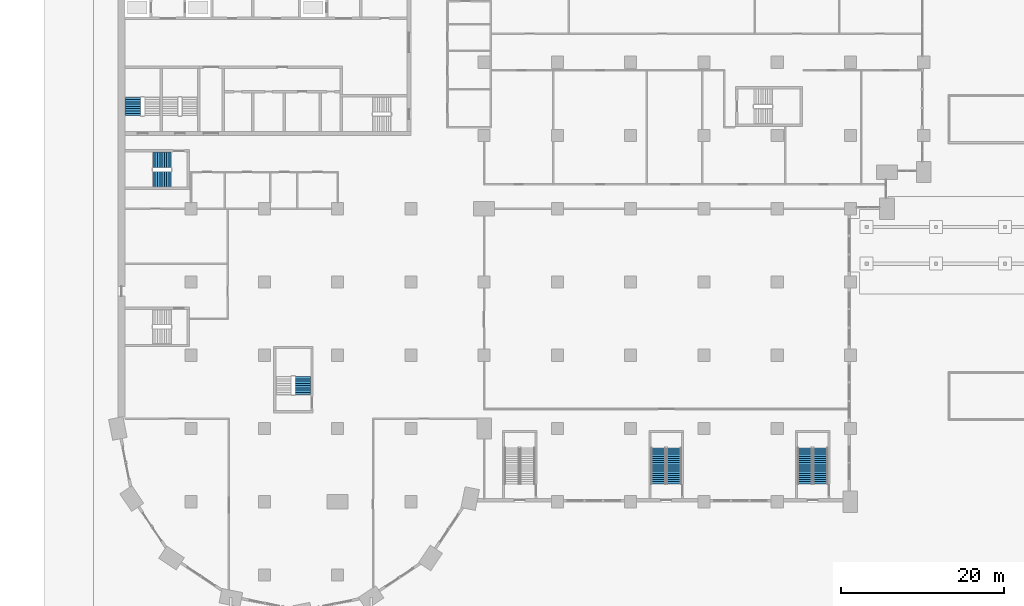
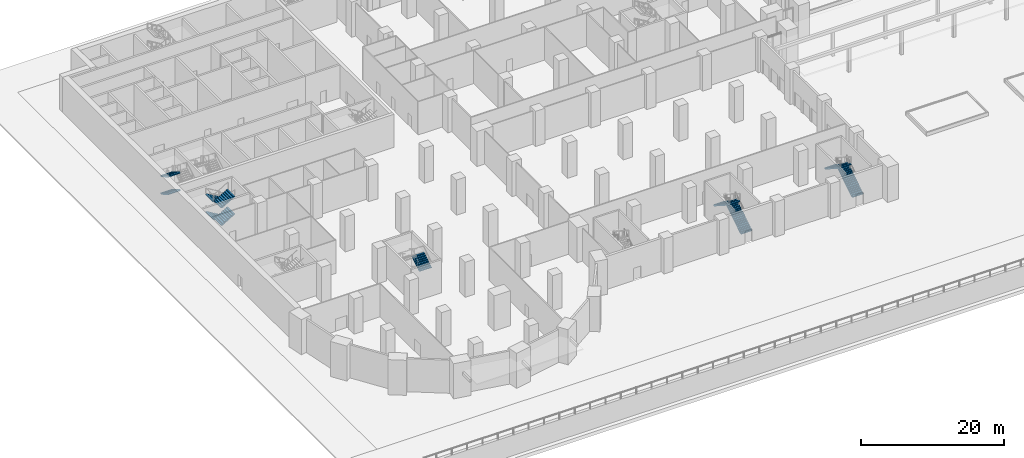
# One storey, part 29 of 47: 11 stair flights, 5 elements without a shape of their own.
"""IFC4 building model written with IfcOpenShell, lengths in metres."""

from ifc_helpers import new_model, si_unit, direction, frame, origin, place, context, subcontext, project, spatial, polyline, outline, extrude, material, type_object, element, aggregate, save


model = new_model("IFC4")

# Units and contexts
model_context = context("Model", 3, precision=1e-05, world=origin(), true_north=direction((0.0, 1.0)))
body_context = subcontext(model_context, "Body", "Model", "MODEL_VIEW")
ifc_project = project(units=[si_unit("LENGTHUNIT", "METRE"), si_unit("AREAUNIT", "SQUARE_METRE"), si_unit("VOLUMEUNIT", "CUBIC_METRE"), si_unit("PLANEANGLEUNIT", "RADIAN"), si_unit("MASSUNIT", "GRAM", prefix="KILO")], contexts=[model_context])

# Site, building, storey
site_placement = place(None, origin())
site = spatial("IfcSite", under=ifc_project, at=site_placement, CompositionType="ELEMENT")
building_placement = place(site_placement, origin())
building = spatial("IfcBuilding", under=site, at=building_placement, Name="Hunhe Ridgeline Campus", CompositionType="ELEMENT")
storey_placement = place(building_placement, origin())
storey = spatial("IfcBuildingStorey", under=building, at=storey_placement, Name="L00", CompositionType="ELEMENT", Elevation=0.0)

# Stair, stair flights
ifc_material = material(Name="Concrete C40", Category="concrete")
stair_type_1 = type_object("IfcStairType", Name="Podium exit stair 1800", PredefinedType="HALF_TURN_STAIR", material=ifc_material)
stair_1_placement = place(storey_placement, origin())
stair_1 = element("IfcStair", 1, at=stair_1_placement, inside=storey, type_object=stair_type_1, Name="L00 podium stair PS2", PredefinedType="HALF_TURN_STAIR")
stair_flight_type_1 = type_object("IfcStairFlightType", Name="Podium stair flight 1800", PredefinedType="STRAIGHT", material=ifc_material)
stair_flight_1_placement = place(storey_placement, frame((68.35009765625, 20.199951171875, 0.0), z_axis=(0.0, 0.0, 1.0), x_axis=(0.0, 1.0, 0.0)))
stair_flight_1 = element("IfcStairFlight", 2, at=stair_flight_1_placement, type_object=stair_flight_type_1, Name="PS2 flight 1", NumberOfRisers=18, NumberOfTreads=17, PredefinedType="STRAIGHT", RiserHeight=0.166666667, TreadLength=0.26, context=body_context, shape_type="SweptSolid", body=[
    extrude(outline(polyline([(0.0, 0.0), (0.0, 0.166748046875), (0.260009765625, 0.166748046875), (0.260009765625, 0.333251953125), (0.52001953125, 0.333251953125), (0.52001953125, 0.5), (0.780029296875, 0.5), (0.780029296875, 0.666748046875), (1.0400390625, 0.666748046875), (1.0400390625, 0.833251953125), (1.300048828125, 0.833251953125), (1.300048828125, 1.0), (1.56005859375, 1.0), (1.56005859375, 1.166748046875), (1.820068359375, 1.166748046875), (1.820068359375, 1.333251953125), (2.080078125, 1.333251953125), (2.080078125, 1.5), (2.340087890625, 1.5), (2.340087890625, 1.666748046875), (2.60009765625, 1.666748046875), (2.60009765625, 1.833251953125), (2.860107421875, 1.833251953125), (2.860107421875, 2.0), (3.1201171875, 2.0), (3.1201171875, 2.166748046875), (3.3798828125, 2.166748046875), (3.3798828125, 2.333251953125), (3.639892578125, 2.333251953125), (3.639892578125, 2.5), (3.89990234375, 2.5), (3.89990234375, 2.666748046875), (4.159912109375, 2.666748046875), (4.159912109375, 2.833251953125), (4.419921875, 2.833251953125), (4.419921875, 3.0), (4.419921875, 2.6552734375), (0.27783203125, 0.0), (0.0, 0.0)])), frame((0.0, 0.89990234375, 0.0), z_axis=(0.0, -1.0, 0.0), x_axis=(1.0, 0.0, 0.0)), (0.0, 0.0, 1.0), 1.800048828125),
])
stair_flight_2_placement = place(storey_placement, frame((66.39990234375, 24.6201171875, 3.0), z_axis=(0.0, 0.0, 1.0), x_axis=(0.0, -1.0, 0.0)))
stair_flight_2 = element("IfcStairFlight", 3, at=stair_flight_2_placement, type_object=stair_flight_type_1, Name="PS2 flight 2", NumberOfRisers=18, NumberOfTreads=17, PredefinedType="STRAIGHT", RiserHeight=0.166666667, TreadLength=0.26, context=body_context, shape_type="SweptSolid", body=[
    extrude(outline(polyline([(0.0, 0.0), (0.0, 0.166748046875), (0.260009765625, 0.166748046875), (0.260009765625, 0.333251953125), (0.52001953125, 0.333251953125), (0.52001953125, 0.5), (0.780029296875, 0.5), (0.780029296875, 0.666748046875), (1.0400390625, 0.666748046875), (1.0400390625, 0.833251953125), (1.300048828125, 0.833251953125), (1.300048828125, 1.0), (1.56005859375, 1.0), (1.56005859375, 1.166748046875), (1.820068359375, 1.166748046875), (1.820068359375, 1.333251953125), (2.080078125, 1.333251953125), (2.080078125, 1.5), (2.340087890625, 1.5), (2.340087890625, 1.666748046875), (2.60009765625, 1.666748046875), (2.60009765625, 1.833251953125), (2.860107421875, 1.833251953125), (2.860107421875, 2.0), (3.1201171875, 2.0), (3.1201171875, 2.166748046875), (3.3798828125, 2.166748046875), (3.3798828125, 2.333251953125), (3.639892578125, 2.333251953125), (3.639892578125, 2.5), (3.89990234375, 2.5), (3.89990234375, 2.666748046875), (4.159912109375, 2.666748046875), (4.159912109375, 2.833251953125), (4.419921875, 2.833251953125), (4.419921875, 3.0), (4.419921875, 2.6552734375), (0.27783203125, 0.0), (0.0, 0.0)])), frame((0.0, 0.89990234375, 0.0), z_axis=(0.0, -1.0, 0.0), x_axis=(1.0, 0.0, 0.0)), (0.0, 0.0, 1.0), 1.800048828125),
])
aggregate(stair_1, [stair_flight_1, stair_flight_2])

stair_2_placement = place(storey_placement, origin())
stair_2 = element("IfcStair", 4, at=stair_2_placement, inside=storey, type_object=stair_type_1, Name="L00 podium stair PS3", PredefinedType="HALF_TURN_STAIR")
stair_flight_3_placement = place(storey_placement, frame((86.35009765625, 20.199951171875, 0.0), z_axis=(0.0, 0.0, 1.0), x_axis=(0.0, 1.0, 0.0)))
stair_flight_3 = element("IfcStairFlight", 5, at=stair_flight_3_placement, type_object=stair_flight_type_1, Name="PS3 flight 1", NumberOfRisers=18, NumberOfTreads=17, PredefinedType="STRAIGHT", RiserHeight=0.166666667, TreadLength=0.26, context=body_context, shape_type="SweptSolid", body=[
    extrude(outline(polyline([(0.0, 0.0), (0.0, 0.166748046875), (0.260009765625, 0.166748046875), (0.260009765625, 0.333251953125), (0.52001953125, 0.333251953125), (0.52001953125, 0.5), (0.780029296875, 0.5), (0.780029296875, 0.666748046875), (1.0400390625, 0.666748046875), (1.0400390625, 0.833251953125), (1.300048828125, 0.833251953125), (1.300048828125, 1.0), (1.56005859375, 1.0), (1.56005859375, 1.166748046875), (1.820068359375, 1.166748046875), (1.820068359375, 1.333251953125), (2.080078125, 1.333251953125), (2.080078125, 1.5), (2.340087890625, 1.5), (2.340087890625, 1.666748046875), (2.60009765625, 1.666748046875), (2.60009765625, 1.833251953125), (2.860107421875, 1.833251953125), (2.860107421875, 2.0), (3.1201171875, 2.0), (3.1201171875, 2.166748046875), (3.3798828125, 2.166748046875), (3.3798828125, 2.333251953125), (3.639892578125, 2.333251953125), (3.639892578125, 2.5), (3.89990234375, 2.5), (3.89990234375, 2.666748046875), (4.159912109375, 2.666748046875), (4.159912109375, 2.833251953125), (4.419921875, 2.833251953125), (4.419921875, 3.0), (4.419921875, 2.6552734375), (0.27783203125, 0.0), (0.0, 0.0)])), frame((0.0, 0.89990234375, 0.0), z_axis=(0.0, -1.0, 0.0), x_axis=(1.0, 0.0, 0.0)), (0.0, 0.0, 1.0), 1.800048828125),
])
stair_flight_4_placement = place(storey_placement, frame((84.39990234375, 24.6201171875, 3.0), z_axis=(0.0, 0.0, 1.0), x_axis=(0.0, -1.0, 0.0)))
stair_flight_4 = element("IfcStairFlight", 6, at=stair_flight_4_placement, type_object=stair_flight_type_1, Name="PS3 flight 2", NumberOfRisers=18, NumberOfTreads=17, PredefinedType="STRAIGHT", RiserHeight=0.166666667, TreadLength=0.26, context=body_context, shape_type="SweptSolid", body=[
    extrude(outline(polyline([(0.0, 0.0), (0.0, 0.166748046875), (0.260009765625, 0.166748046875), (0.260009765625, 0.333251953125), (0.52001953125, 0.333251953125), (0.52001953125, 0.5), (0.780029296875, 0.5), (0.780029296875, 0.666748046875), (1.0400390625, 0.666748046875), (1.0400390625, 0.833251953125), (1.300048828125, 0.833251953125), (1.300048828125, 1.0), (1.56005859375, 1.0), (1.56005859375, 1.166748046875), (1.820068359375, 1.166748046875), (1.820068359375, 1.333251953125), (2.080078125, 1.333251953125), (2.080078125, 1.5), (2.340087890625, 1.5), (2.340087890625, 1.666748046875), (2.60009765625, 1.666748046875), (2.60009765625, 1.833251953125), (2.860107421875, 1.833251953125), (2.860107421875, 2.0), (3.1201171875, 2.0), (3.1201171875, 2.166748046875), (3.3798828125, 2.166748046875), (3.3798828125, 2.333251953125), (3.639892578125, 2.333251953125), (3.639892578125, 2.5), (3.89990234375, 2.5), (3.89990234375, 2.666748046875), (4.159912109375, 2.666748046875), (4.159912109375, 2.833251953125), (4.419921875, 2.833251953125), (4.419921875, 3.0), (4.419921875, 2.6552734375), (0.27783203125, 0.0), (0.0, 0.0)])), frame((0.0, 0.89990234375, 0.0), z_axis=(0.0, -1.0, 0.0), x_axis=(1.0, 0.0, 0.0)), (0.0, 0.0, 1.0), 1.800048828125),
])
aggregate(stair_2, [stair_flight_3, stair_flight_4])

stair_type_2 = type_object("IfcStairType", Name="Reinforced concrete dog-leg stair 1950 Concrete C40", PredefinedType="HALF_TURN_STAIR", material=ifc_material)
stair_3_placement = place(storey_placement, origin())
stair_3 = element("IfcStair", 7, at=stair_3_placement, inside=storey, type_object=stair_type_2, Name="L00 S3", PredefinedType="HALF_TURN_STAIR")
stair_flight_type_2 = type_object("IfcStairFlightType", Name="Reinforced concrete stair flight 1950 Concrete C40", PredefinedType="STRAIGHT", material=ifc_material)
stair_flight_5_placement = place(storey_placement, frame((1.875, 67.68994140625, 1.5), z_axis=(0.0, 0.0, 1.0), x_axis=(0.0, -1.0, 0.0)))
stair_flight_5 = element("IfcStairFlight", 8, at=stair_flight_5_placement, type_object=stair_flight_type_2, Name="ST3 flight 2", NumberOfRisers=9, NumberOfTreads=8, PredefinedType="STRAIGHT", RiserHeight=0.166666667, TreadLength=0.28, context=body_context, shape_type="SweptSolid", body=[
    extrude(outline(polyline([(0.0, 0.0), (0.0, 0.166748046875), (0.280029296875, 0.166748046875), (0.280029296875, 0.333251953125), (0.56005859375, 0.333251953125), (0.56005859375, 0.5), (0.840087890625, 0.5), (0.840087890625, 0.666748046875), (1.1201171875, 0.666748046875), (1.1201171875, 0.833251953125), (1.39990234375, 0.833251953125), (1.39990234375, 1.0), (1.679931640625, 1.0), (1.679931640625, 1.166748046875), (1.9599609375, 1.166748046875), (1.9599609375, 1.333251953125), (2.239990234375, 1.333251953125), (2.239990234375, 1.5), (2.239990234375, 1.158935546875), (0.29296875, 0.0), (0.0, 0.0)])), frame((0.0, 0.97509765625, 0.0), z_axis=(0.0, -1.0, 0.0), x_axis=(1.0, 0.0, 0.0)), (0.0, 0.0, 1.0), 1.949951171875),
    extrude(outline(polyline([(0.030029296875, 0.030029296875), (0.030029296875, 0.13671875), (0.31005859375, 0.13671875), (0.31005859375, 0.30322265625), (0.590087890625, 0.30322265625), (0.590087890625, 0.469970703125), (0.8701171875, 0.469970703125), (0.8701171875, 0.63671875), (1.14990234375, 0.63671875), (1.14990234375, 0.80322265625), (1.429931640625, 0.80322265625), (1.429931640625, 0.969970703125), (1.7099609375, 0.969970703125), (1.7099609375, 1.13671875), (1.989990234375, 1.13671875), (1.989990234375, 1.30322265625), (2.2099609375, 1.30322265625), (2.2099609375, 1.17578125), (0.284912109375, 0.030029296875), (0.030029296875, 0.030029296875)])), frame((0.0, -0.070068359375, 0.0), z_axis=(0.0, -1.0, 0.0), x_axis=(1.0, 0.0, 0.0)), (0.0, 0.0, 1.0), 0.019775390625),
    extrude(outline(polyline([(0.030029296875, 0.030029296875), (0.030029296875, 0.13671875), (0.31005859375, 0.13671875), (0.31005859375, 0.30322265625), (0.590087890625, 0.30322265625), (0.590087890625, 0.469970703125), (0.8701171875, 0.469970703125), (0.8701171875, 0.63671875), (1.14990234375, 0.63671875), (1.14990234375, 0.80322265625), (1.429931640625, 0.80322265625), (1.429931640625, 0.969970703125), (1.7099609375, 0.969970703125), (1.7099609375, 1.13671875), (1.989990234375, 1.13671875), (1.989990234375, 1.30322265625), (2.2099609375, 1.30322265625), (2.2099609375, 1.17578125), (0.284912109375, 0.030029296875), (0.030029296875, 0.030029296875)])), frame((0.0, 0.010009765625, 0.0), z_axis=(0.0, -1.0, 0.0), x_axis=(1.0, 0.0, 0.0)), (0.0, 0.0, 1.0), 0.019775390625),
    extrude(outline(polyline([(0.030029296875, 0.030029296875), (0.030029296875, 0.13671875), (0.31005859375, 0.13671875), (0.31005859375, 0.30322265625), (0.590087890625, 0.30322265625), (0.590087890625, 0.469970703125), (0.8701171875, 0.469970703125), (0.8701171875, 0.63671875), (1.14990234375, 0.63671875), (1.14990234375, 0.80322265625), (1.429931640625, 0.80322265625), (1.429931640625, 0.969970703125), (1.7099609375, 0.969970703125), (1.7099609375, 1.13671875), (1.989990234375, 1.13671875), (1.989990234375, 1.30322265625), (2.2099609375, 1.30322265625), (2.2099609375, 1.17578125), (0.284912109375, 0.030029296875), (0.030029296875, 0.030029296875)])), frame((0.0, 0.090087890625, 0.0), z_axis=(0.0, -1.0, 0.0), x_axis=(1.0, 0.0, 0.0)), (0.0, 0.0, 1.0), 0.019775390625),
])
stair_flight_6_placement = place(storey_placement, frame((1.875, 67.68994140625, 4.5), z_axis=(0.0, 0.0, 1.0), x_axis=(0.0, -1.0, 0.0)))
stair_flight_6 = element("IfcStairFlight", 9, at=stair_flight_6_placement, type_object=stair_flight_type_2, Name="ST3 flight 4", NumberOfRisers=9, NumberOfTreads=8, PredefinedType="STRAIGHT", RiserHeight=0.166666667, TreadLength=0.28, context=body_context, shape_type="SweptSolid", body=[
    extrude(outline(polyline([(0.0, 0.0), (0.0, 0.166748046875), (0.280029296875, 0.166748046875), (0.280029296875, 0.333251953125), (0.56005859375, 0.333251953125), (0.56005859375, 0.5), (0.840087890625, 0.5), (0.840087890625, 0.666748046875), (1.1201171875, 0.666748046875), (1.1201171875, 0.833251953125), (1.39990234375, 0.833251953125), (1.39990234375, 1.0), (1.679931640625, 1.0), (1.679931640625, 1.166748046875), (1.9599609375, 1.166748046875), (1.9599609375, 1.333251953125), (2.239990234375, 1.333251953125), (2.239990234375, 1.5), (2.239990234375, 1.158935546875), (0.29296875, 0.0), (0.0, 0.0)])), frame((0.0, 0.97509765625, 0.0), z_axis=(0.0, -1.0, 0.0), x_axis=(1.0, 0.0, 0.0)), (0.0, 0.0, 1.0), 1.949951171875),
    extrude(outline(polyline([(0.030029296875, 0.030029296875), (0.030029296875, 0.13671875), (0.31005859375, 0.13671875), (0.31005859375, 0.30322265625), (0.590087890625, 0.30322265625), (0.590087890625, 0.469970703125), (0.8701171875, 0.469970703125), (0.8701171875, 0.63671875), (1.14990234375, 0.63671875), (1.14990234375, 0.80322265625), (1.429931640625, 0.80322265625), (1.429931640625, 0.969970703125), (1.7099609375, 0.969970703125), (1.7099609375, 1.13671875), (1.989990234375, 1.13671875), (1.989990234375, 1.30322265625), (2.2099609375, 1.30322265625), (2.2099609375, 1.17578125), (0.284912109375, 0.030029296875), (0.030029296875, 0.030029296875)])), frame((0.0, -0.070068359375, 0.0), z_axis=(0.0, -1.0, 0.0), x_axis=(1.0, 0.0, 0.0)), (0.0, 0.0, 1.0), 0.019775390625),
    extrude(outline(polyline([(0.030029296875, 0.030029296875), (0.030029296875, 0.13671875), (0.31005859375, 0.13671875), (0.31005859375, 0.30322265625), (0.590087890625, 0.30322265625), (0.590087890625, 0.469970703125), (0.8701171875, 0.469970703125), (0.8701171875, 0.63671875), (1.14990234375, 0.63671875), (1.14990234375, 0.80322265625), (1.429931640625, 0.80322265625), (1.429931640625, 0.969970703125), (1.7099609375, 0.969970703125), (1.7099609375, 1.13671875), (1.989990234375, 1.13671875), (1.989990234375, 1.30322265625), (2.2099609375, 1.30322265625), (2.2099609375, 1.17578125), (0.284912109375, 0.030029296875), (0.030029296875, 0.030029296875)])), frame((0.0, 0.010009765625, 0.0), z_axis=(0.0, -1.0, 0.0), x_axis=(1.0, 0.0, 0.0)), (0.0, 0.0, 1.0), 0.019775390625),
    extrude(outline(polyline([(0.030029296875, 0.030029296875), (0.030029296875, 0.13671875), (0.31005859375, 0.13671875), (0.31005859375, 0.30322265625), (0.590087890625, 0.30322265625), (0.590087890625, 0.469970703125), (0.8701171875, 0.469970703125), (0.8701171875, 0.63671875), (1.14990234375, 0.63671875), (1.14990234375, 0.80322265625), (1.429931640625, 0.80322265625), (1.429931640625, 0.969970703125), (1.7099609375, 0.969970703125), (1.7099609375, 1.13671875), (1.989990234375, 1.13671875), (1.989990234375, 1.30322265625), (2.2099609375, 1.30322265625), (2.2099609375, 1.17578125), (0.284912109375, 0.030029296875), (0.030029296875, 0.030029296875)])), frame((0.0, 0.090087890625, 0.0), z_axis=(0.0, -1.0, 0.0), x_axis=(1.0, 0.0, 0.0)), (0.0, 0.0, 1.0), 0.019775390625),
])
aggregate(stair_3, [stair_flight_5, stair_flight_6])

# Stair, stair flight
stair_4_placement = place(storey_placement, origin())
stair_4 = element("IfcStair", 10, at=stair_4_placement, inside=storey, type_object=stair_type_2, Name="L00 W3", PredefinedType="HALF_TURN_STAIR")
stair_flight_7_placement = place(storey_placement, frame((22.72509765625, 31.14990234375, 3.0), z_axis=(0.0, 0.0, 1.0), x_axis=(0.0, 1.0, 0.0)))
stair_flight_7 = element("IfcStairFlight", 11, at=stair_flight_7_placement, type_object=stair_flight_type_2, Name="ST9 flight 3", NumberOfRisers=9, NumberOfTreads=8, PredefinedType="STRAIGHT", RiserHeight=0.166666667, TreadLength=0.28, context=body_context, shape_type="SweptSolid", body=[
    extrude(outline(polyline([(0.0, 0.0), (0.0, 0.166748046875), (0.280029296875, 0.166748046875), (0.280029296875, 0.333251953125), (0.56005859375, 0.333251953125), (0.56005859375, 0.5), (0.840087890625, 0.5), (0.840087890625, 0.666748046875), (1.1201171875, 0.666748046875), (1.1201171875, 0.833251953125), (1.39990234375, 0.833251953125), (1.39990234375, 1.0), (1.679931640625, 1.0), (1.679931640625, 1.166748046875), (1.9599609375, 1.166748046875), (1.9599609375, 1.333251953125), (2.239990234375, 1.333251953125), (2.239990234375, 1.5), (2.239990234375, 1.158935546875), (0.29296875, 0.0), (0.0, 0.0)])), frame((0.0, 0.97509765625, 0.0), z_axis=(0.0, -1.0, 0.0), x_axis=(1.0, 0.0, 0.0)), (0.0, 0.0, 1.0), 1.949951171875),
    extrude(outline(polyline([(0.030029296875, 0.030029296875), (0.030029296875, 0.13671875), (0.31005859375, 0.13671875), (0.31005859375, 0.30322265625), (0.590087890625, 0.30322265625), (0.590087890625, 0.469970703125), (0.8701171875, 0.469970703125), (0.8701171875, 0.63671875), (1.14990234375, 0.63671875), (1.14990234375, 0.80322265625), (1.429931640625, 0.80322265625), (1.429931640625, 0.969970703125), (1.7099609375, 0.969970703125), (1.7099609375, 1.13671875), (1.989990234375, 1.13671875), (1.989990234375, 1.30322265625), (2.2099609375, 1.30322265625), (2.2099609375, 1.17578125), (0.284912109375, 0.030029296875), (0.030029296875, 0.030029296875)])), frame((0.0, -0.070068359375, 0.0), z_axis=(0.0, -1.0, 0.0), x_axis=(1.0, 0.0, 0.0)), (0.0, 0.0, 1.0), 0.019775390625),
    extrude(outline(polyline([(0.030029296875, 0.030029296875), (0.030029296875, 0.13671875), (0.31005859375, 0.13671875), (0.31005859375, 0.30322265625), (0.590087890625, 0.30322265625), (0.590087890625, 0.469970703125), (0.8701171875, 0.469970703125), (0.8701171875, 0.63671875), (1.14990234375, 0.63671875), (1.14990234375, 0.80322265625), (1.429931640625, 0.80322265625), (1.429931640625, 0.969970703125), (1.7099609375, 0.969970703125), (1.7099609375, 1.13671875), (1.989990234375, 1.13671875), (1.989990234375, 1.30322265625), (2.2099609375, 1.30322265625), (2.2099609375, 1.17578125), (0.284912109375, 0.030029296875), (0.030029296875, 0.030029296875)])), frame((0.0, 0.010009765625, 0.0), z_axis=(0.0, -1.0, 0.0), x_axis=(1.0, 0.0, 0.0)), (0.0, 0.0, 1.0), 0.019775390625),
    extrude(outline(polyline([(0.030029296875, 0.030029296875), (0.030029296875, 0.13671875), (0.31005859375, 0.13671875), (0.31005859375, 0.30322265625), (0.590087890625, 0.30322265625), (0.590087890625, 0.469970703125), (0.8701171875, 0.469970703125), (0.8701171875, 0.63671875), (1.14990234375, 0.63671875), (1.14990234375, 0.80322265625), (1.429931640625, 0.80322265625), (1.429931640625, 0.969970703125), (1.7099609375, 0.969970703125), (1.7099609375, 1.13671875), (1.989990234375, 1.13671875), (1.989990234375, 1.30322265625), (2.2099609375, 1.30322265625), (2.2099609375, 1.17578125), (0.284912109375, 0.030029296875), (0.030029296875, 0.030029296875)])), frame((0.0, 0.090087890625, 0.0), z_axis=(0.0, -1.0, 0.0), x_axis=(1.0, 0.0, 0.0)), (0.0, 0.0, 1.0), 0.019775390625),
])
aggregate(stair_4, [stair_flight_7])

# Stair, stair flights
stair_5_placement = place(storey_placement, origin())
stair_5 = element("IfcStair", 12, at=stair_5_placement, inside=storey, type_object=stair_type_2, Name="L00 W2", PredefinedType="HALF_TURN_STAIR")
stair_flight_8_placement = place(storey_placement, frame((6.550048828125, 59.97509765625, 0.0), z_axis=(0.0, 0.0, 1.0), x_axis=(-1.0, 0.0, 0.0)))
stair_flight_8 = element("IfcStairFlight", 13, at=stair_flight_8_placement, type_object=stair_flight_type_2, Name="ST12 flight 1", NumberOfRisers=9, NumberOfTreads=8, PredefinedType="STRAIGHT", RiserHeight=0.166666667, TreadLength=0.28, context=body_context, shape_type="SweptSolid", body=[
    extrude(outline(polyline([(0.0, 0.0), (0.0, 0.166748046875), (0.280029296875, 0.166748046875), (0.280029296875, 0.333251953125), (0.56005859375, 0.333251953125), (0.56005859375, 0.5), (0.840087890625, 0.5), (0.840087890625, 0.666748046875), (1.1201171875, 0.666748046875), (1.1201171875, 0.833251953125), (1.39990234375, 0.833251953125), (1.39990234375, 1.0), (1.679931640625, 1.0), (1.679931640625, 1.166748046875), (1.9599609375, 1.166748046875), (1.9599609375, 1.333251953125), (2.239990234375, 1.333251953125), (2.239990234375, 1.5), (2.239990234375, 1.158935546875), (0.29296875, 0.0), (0.0, 0.0)])), frame((0.0, 0.97509765625, 0.0), z_axis=(0.0, -1.0, 0.0), x_axis=(1.0, 0.0, 0.0)), (0.0, 0.0, 1.0), 1.949951171875),
    extrude(outline(polyline([(0.030029296875, 0.030029296875), (0.030029296875, 0.13671875), (0.31005859375, 0.13671875), (0.31005859375, 0.30322265625), (0.590087890625, 0.30322265625), (0.590087890625, 0.469970703125), (0.8701171875, 0.469970703125), (0.8701171875, 0.63671875), (1.14990234375, 0.63671875), (1.14990234375, 0.80322265625), (1.429931640625, 0.80322265625), (1.429931640625, 0.969970703125), (1.7099609375, 0.969970703125), (1.7099609375, 1.13671875), (1.989990234375, 1.13671875), (1.989990234375, 1.30322265625), (2.2099609375, 1.30322265625), (2.2099609375, 1.17578125), (0.284912109375, 0.030029296875), (0.030029296875, 0.030029296875)])), frame((0.0, -0.070068359375, 0.0), z_axis=(0.0, -1.0, 0.0), x_axis=(1.0, 0.0, 0.0)), (0.0, 0.0, 1.0), 0.019775390625),
    extrude(outline(polyline([(0.030029296875, 0.030029296875), (0.030029296875, 0.13671875), (0.31005859375, 0.13671875), (0.31005859375, 0.30322265625), (0.590087890625, 0.30322265625), (0.590087890625, 0.469970703125), (0.8701171875, 0.469970703125), (0.8701171875, 0.63671875), (1.14990234375, 0.63671875), (1.14990234375, 0.80322265625), (1.429931640625, 0.80322265625), (1.429931640625, 0.969970703125), (1.7099609375, 0.969970703125), (1.7099609375, 1.13671875), (1.989990234375, 1.13671875), (1.989990234375, 1.30322265625), (2.2099609375, 1.30322265625), (2.2099609375, 1.17578125), (0.284912109375, 0.030029296875), (0.030029296875, 0.030029296875)])), frame((0.0, 0.010009765625, 0.0), z_axis=(0.0, -1.0, 0.0), x_axis=(1.0, 0.0, 0.0)), (0.0, 0.0, 1.0), 0.019775390625),
    extrude(outline(polyline([(0.030029296875, 0.030029296875), (0.030029296875, 0.13671875), (0.31005859375, 0.13671875), (0.31005859375, 0.30322265625), (0.590087890625, 0.30322265625), (0.590087890625, 0.469970703125), (0.8701171875, 0.469970703125), (0.8701171875, 0.63671875), (1.14990234375, 0.63671875), (1.14990234375, 0.80322265625), (1.429931640625, 0.80322265625), (1.429931640625, 0.969970703125), (1.7099609375, 0.969970703125), (1.7099609375, 1.13671875), (1.989990234375, 1.13671875), (1.989990234375, 1.30322265625), (2.2099609375, 1.30322265625), (2.2099609375, 1.17578125), (0.284912109375, 0.030029296875), (0.030029296875, 0.030029296875)])), frame((0.0, 0.090087890625, 0.0), z_axis=(0.0, -1.0, 0.0), x_axis=(1.0, 0.0, 0.0)), (0.0, 0.0, 1.0), 0.019775390625),
])
stair_flight_9_placement = place(storey_placement, frame((4.31005859375, 57.625, 1.5), z_axis=(0.0, 0.0, 1.0), x_axis=(1.0, 0.0, 0.0)))
stair_flight_9 = element("IfcStairFlight", 14, at=stair_flight_9_placement, type_object=stair_flight_type_2, Name="ST12 flight 2", NumberOfRisers=9, NumberOfTreads=8, PredefinedType="STRAIGHT", RiserHeight=0.166666667, TreadLength=0.28, context=body_context, shape_type="SweptSolid", body=[
    extrude(outline(polyline([(0.0, 0.0), (0.0, 0.166748046875), (0.280029296875, 0.166748046875), (0.280029296875, 0.333251953125), (0.56005859375, 0.333251953125), (0.56005859375, 0.5), (0.840087890625, 0.5), (0.840087890625, 0.666748046875), (1.1201171875, 0.666748046875), (1.1201171875, 0.833251953125), (1.39990234375, 0.833251953125), (1.39990234375, 1.0), (1.679931640625, 1.0), (1.679931640625, 1.166748046875), (1.9599609375, 1.166748046875), (1.9599609375, 1.333251953125), (2.239990234375, 1.333251953125), (2.239990234375, 1.5), (2.239990234375, 1.158935546875), (0.29296875, 0.0), (0.0, 0.0)])), frame((0.0, 0.97509765625, 0.0), z_axis=(0.0, -1.0, 0.0), x_axis=(1.0, 0.0, 0.0)), (0.0, 0.0, 1.0), 1.949951171875),
    extrude(outline(polyline([(0.030029296875, 0.030029296875), (0.030029296875, 0.13671875), (0.31005859375, 0.13671875), (0.31005859375, 0.30322265625), (0.590087890625, 0.30322265625), (0.590087890625, 0.469970703125), (0.8701171875, 0.469970703125), (0.8701171875, 0.63671875), (1.14990234375, 0.63671875), (1.14990234375, 0.80322265625), (1.429931640625, 0.80322265625), (1.429931640625, 0.969970703125), (1.7099609375, 0.969970703125), (1.7099609375, 1.13671875), (1.989990234375, 1.13671875), (1.989990234375, 1.30322265625), (2.2099609375, 1.30322265625), (2.2099609375, 1.17578125), (0.284912109375, 0.030029296875), (0.030029296875, 0.030029296875)])), frame((0.0, -0.070068359375, 0.0), z_axis=(0.0, -1.0, 0.0), x_axis=(1.0, 0.0, 0.0)), (0.0, 0.0, 1.0), 0.019775390625),
    extrude(outline(polyline([(0.030029296875, 0.030029296875), (0.030029296875, 0.13671875), (0.31005859375, 0.13671875), (0.31005859375, 0.30322265625), (0.590087890625, 0.30322265625), (0.590087890625, 0.469970703125), (0.8701171875, 0.469970703125), (0.8701171875, 0.63671875), (1.14990234375, 0.63671875), (1.14990234375, 0.80322265625), (1.429931640625, 0.80322265625), (1.429931640625, 0.969970703125), (1.7099609375, 0.969970703125), (1.7099609375, 1.13671875), (1.989990234375, 1.13671875), (1.989990234375, 1.30322265625), (2.2099609375, 1.30322265625), (2.2099609375, 1.17578125), (0.284912109375, 0.030029296875), (0.030029296875, 0.030029296875)])), frame((0.0, 0.010009765625, 0.0), z_axis=(0.0, -1.0, 0.0), x_axis=(1.0, 0.0, 0.0)), (0.0, 0.0, 1.0), 0.019775390625),
    extrude(outline(polyline([(0.030029296875, 0.030029296875), (0.030029296875, 0.13671875), (0.31005859375, 0.13671875), (0.31005859375, 0.30322265625), (0.590087890625, 0.30322265625), (0.590087890625, 0.469970703125), (0.8701171875, 0.469970703125), (0.8701171875, 0.63671875), (1.14990234375, 0.63671875), (1.14990234375, 0.80322265625), (1.429931640625, 0.80322265625), (1.429931640625, 0.969970703125), (1.7099609375, 0.969970703125), (1.7099609375, 1.13671875), (1.989990234375, 1.13671875), (1.989990234375, 1.30322265625), (2.2099609375, 1.30322265625), (2.2099609375, 1.17578125), (0.284912109375, 0.030029296875), (0.030029296875, 0.030029296875)])), frame((0.0, 0.090087890625, 0.0), z_axis=(0.0, -1.0, 0.0), x_axis=(1.0, 0.0, 0.0)), (0.0, 0.0, 1.0), 0.019775390625),
])
stair_flight_10_placement = place(storey_placement, frame((6.550048828125, 59.97509765625, 3.0), z_axis=(0.0, 0.0, 1.0), x_axis=(-1.0, 0.0, 0.0)))
stair_flight_10 = element("IfcStairFlight", 15, at=stair_flight_10_placement, type_object=stair_flight_type_2, Name="ST12 flight 3", NumberOfRisers=9, NumberOfTreads=8, PredefinedType="STRAIGHT", RiserHeight=0.166666667, TreadLength=0.28, context=body_context, shape_type="SweptSolid", body=[
    extrude(outline(polyline([(0.0, 0.0), (0.0, 0.166748046875), (0.280029296875, 0.166748046875), (0.280029296875, 0.333251953125), (0.56005859375, 0.333251953125), (0.56005859375, 0.5), (0.840087890625, 0.5), (0.840087890625, 0.666748046875), (1.1201171875, 0.666748046875), (1.1201171875, 0.833251953125), (1.39990234375, 0.833251953125), (1.39990234375, 1.0), (1.679931640625, 1.0), (1.679931640625, 1.166748046875), (1.9599609375, 1.166748046875), (1.9599609375, 1.333251953125), (2.239990234375, 1.333251953125), (2.239990234375, 1.5), (2.239990234375, 1.158935546875), (0.29296875, 0.0), (0.0, 0.0)])), frame((0.0, 0.97509765625, 0.0), z_axis=(0.0, -1.0, 0.0), x_axis=(1.0, 0.0, 0.0)), (0.0, 0.0, 1.0), 1.949951171875),
    extrude(outline(polyline([(0.030029296875, 0.030029296875), (0.030029296875, 0.13671875), (0.31005859375, 0.13671875), (0.31005859375, 0.30322265625), (0.590087890625, 0.30322265625), (0.590087890625, 0.469970703125), (0.8701171875, 0.469970703125), (0.8701171875, 0.63671875), (1.14990234375, 0.63671875), (1.14990234375, 0.80322265625), (1.429931640625, 0.80322265625), (1.429931640625, 0.969970703125), (1.7099609375, 0.969970703125), (1.7099609375, 1.13671875), (1.989990234375, 1.13671875), (1.989990234375, 1.30322265625), (2.2099609375, 1.30322265625), (2.2099609375, 1.17578125), (0.284912109375, 0.030029296875), (0.030029296875, 0.030029296875)])), frame((0.0, -0.070068359375, 0.0), z_axis=(0.0, -1.0, 0.0), x_axis=(1.0, 0.0, 0.0)), (0.0, 0.0, 1.0), 0.019775390625),
    extrude(outline(polyline([(0.030029296875, 0.030029296875), (0.030029296875, 0.13671875), (0.31005859375, 0.13671875), (0.31005859375, 0.30322265625), (0.590087890625, 0.30322265625), (0.590087890625, 0.469970703125), (0.8701171875, 0.469970703125), (0.8701171875, 0.63671875), (1.14990234375, 0.63671875), (1.14990234375, 0.80322265625), (1.429931640625, 0.80322265625), (1.429931640625, 0.969970703125), (1.7099609375, 0.969970703125), (1.7099609375, 1.13671875), (1.989990234375, 1.13671875), (1.989990234375, 1.30322265625), (2.2099609375, 1.30322265625), (2.2099609375, 1.17578125), (0.284912109375, 0.030029296875), (0.030029296875, 0.030029296875)])), frame((0.0, 0.010009765625, 0.0), z_axis=(0.0, -1.0, 0.0), x_axis=(1.0, 0.0, 0.0)), (0.0, 0.0, 1.0), 0.019775390625),
    extrude(outline(polyline([(0.030029296875, 0.030029296875), (0.030029296875, 0.13671875), (0.31005859375, 0.13671875), (0.31005859375, 0.30322265625), (0.590087890625, 0.30322265625), (0.590087890625, 0.469970703125), (0.8701171875, 0.469970703125), (0.8701171875, 0.63671875), (1.14990234375, 0.63671875), (1.14990234375, 0.80322265625), (1.429931640625, 0.80322265625), (1.429931640625, 0.969970703125), (1.7099609375, 0.969970703125), (1.7099609375, 1.13671875), (1.989990234375, 1.13671875), (1.989990234375, 1.30322265625), (2.2099609375, 1.30322265625), (2.2099609375, 1.17578125), (0.284912109375, 0.030029296875), (0.030029296875, 0.030029296875)])), frame((0.0, 0.090087890625, 0.0), z_axis=(0.0, -1.0, 0.0), x_axis=(1.0, 0.0, 0.0)), (0.0, 0.0, 1.0), 0.019775390625),
])
stair_flight_11_placement = place(storey_placement, frame((4.31005859375, 57.625, 4.5), z_axis=(0.0, 0.0, 1.0), x_axis=(1.0, 0.0, 0.0)))
stair_flight_11 = element("IfcStairFlight", 16, at=stair_flight_11_placement, type_object=stair_flight_type_2, Name="ST12 flight 4", NumberOfRisers=9, NumberOfTreads=8, PredefinedType="STRAIGHT", RiserHeight=0.166666667, TreadLength=0.28, context=body_context, shape_type="SweptSolid", body=[
    extrude(outline(polyline([(0.0, 0.0), (0.0, 0.166748046875), (0.280029296875, 0.166748046875), (0.280029296875, 0.333251953125), (0.56005859375, 0.333251953125), (0.56005859375, 0.5), (0.840087890625, 0.5), (0.840087890625, 0.666748046875), (1.1201171875, 0.666748046875), (1.1201171875, 0.833251953125), (1.39990234375, 0.833251953125), (1.39990234375, 1.0), (1.679931640625, 1.0), (1.679931640625, 1.166748046875), (1.9599609375, 1.166748046875), (1.9599609375, 1.333251953125), (2.239990234375, 1.333251953125), (2.239990234375, 1.5), (2.239990234375, 1.158935546875), (0.29296875, 0.0), (0.0, 0.0)])), frame((0.0, 0.97509765625, 0.0), z_axis=(0.0, -1.0, 0.0), x_axis=(1.0, 0.0, 0.0)), (0.0, 0.0, 1.0), 1.949951171875),
    extrude(outline(polyline([(0.030029296875, 0.030029296875), (0.030029296875, 0.13671875), (0.31005859375, 0.13671875), (0.31005859375, 0.30322265625), (0.590087890625, 0.30322265625), (0.590087890625, 0.469970703125), (0.8701171875, 0.469970703125), (0.8701171875, 0.63671875), (1.14990234375, 0.63671875), (1.14990234375, 0.80322265625), (1.429931640625, 0.80322265625), (1.429931640625, 0.969970703125), (1.7099609375, 0.969970703125), (1.7099609375, 1.13671875), (1.989990234375, 1.13671875), (1.989990234375, 1.30322265625), (2.2099609375, 1.30322265625), (2.2099609375, 1.17578125), (0.284912109375, 0.030029296875), (0.030029296875, 0.030029296875)])), frame((0.0, -0.070068359375, 0.0), z_axis=(0.0, -1.0, 0.0), x_axis=(1.0, 0.0, 0.0)), (0.0, 0.0, 1.0), 0.019775390625),
    extrude(outline(polyline([(0.030029296875, 0.030029296875), (0.030029296875, 0.13671875), (0.31005859375, 0.13671875), (0.31005859375, 0.30322265625), (0.590087890625, 0.30322265625), (0.590087890625, 0.469970703125), (0.8701171875, 0.469970703125), (0.8701171875, 0.63671875), (1.14990234375, 0.63671875), (1.14990234375, 0.80322265625), (1.429931640625, 0.80322265625), (1.429931640625, 0.969970703125), (1.7099609375, 0.969970703125), (1.7099609375, 1.13671875), (1.989990234375, 1.13671875), (1.989990234375, 1.30322265625), (2.2099609375, 1.30322265625), (2.2099609375, 1.17578125), (0.284912109375, 0.030029296875), (0.030029296875, 0.030029296875)])), frame((0.0, 0.010009765625, 0.0), z_axis=(0.0, -1.0, 0.0), x_axis=(1.0, 0.0, 0.0)), (0.0, 0.0, 1.0), 0.019775390625),
    extrude(outline(polyline([(0.030029296875, 0.030029296875), (0.030029296875, 0.13671875), (0.31005859375, 0.13671875), (0.31005859375, 0.30322265625), (0.590087890625, 0.30322265625), (0.590087890625, 0.469970703125), (0.8701171875, 0.469970703125), (0.8701171875, 0.63671875), (1.14990234375, 0.63671875), (1.14990234375, 0.80322265625), (1.429931640625, 0.80322265625), (1.429931640625, 0.969970703125), (1.7099609375, 0.969970703125), (1.7099609375, 1.13671875), (1.989990234375, 1.13671875), (1.989990234375, 1.30322265625), (2.2099609375, 1.30322265625), (2.2099609375, 1.17578125), (0.284912109375, 0.030029296875), (0.030029296875, 0.030029296875)])), frame((0.0, 0.090087890625, 0.0), z_axis=(0.0, -1.0, 0.0), x_axis=(1.0, 0.0, 0.0)), (0.0, 0.0, 1.0), 0.019775390625),
])
aggregate(stair_5, [stair_flight_8, stair_flight_9, stair_flight_10, stair_flight_11])

save(model, "model.ifc")
